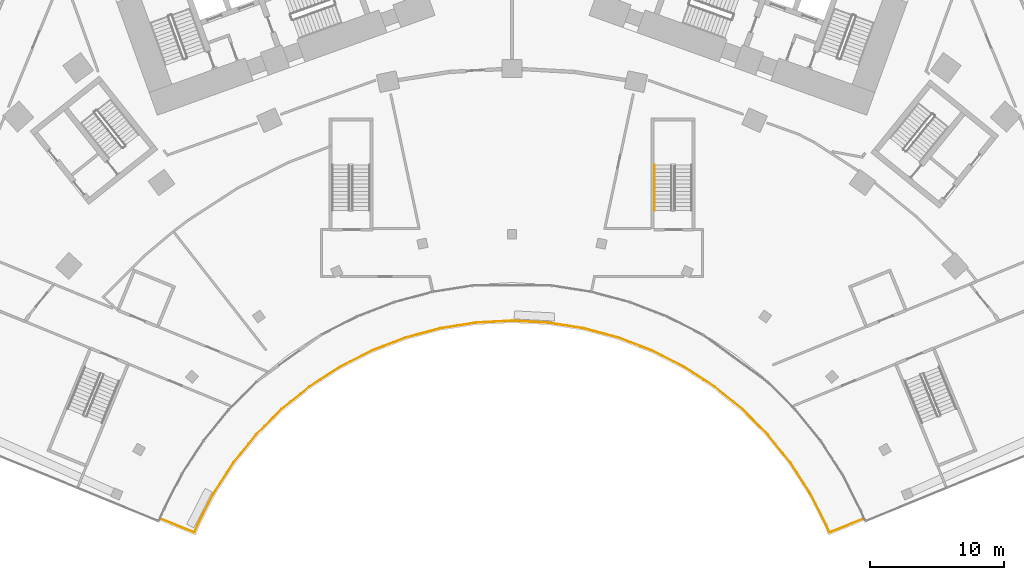
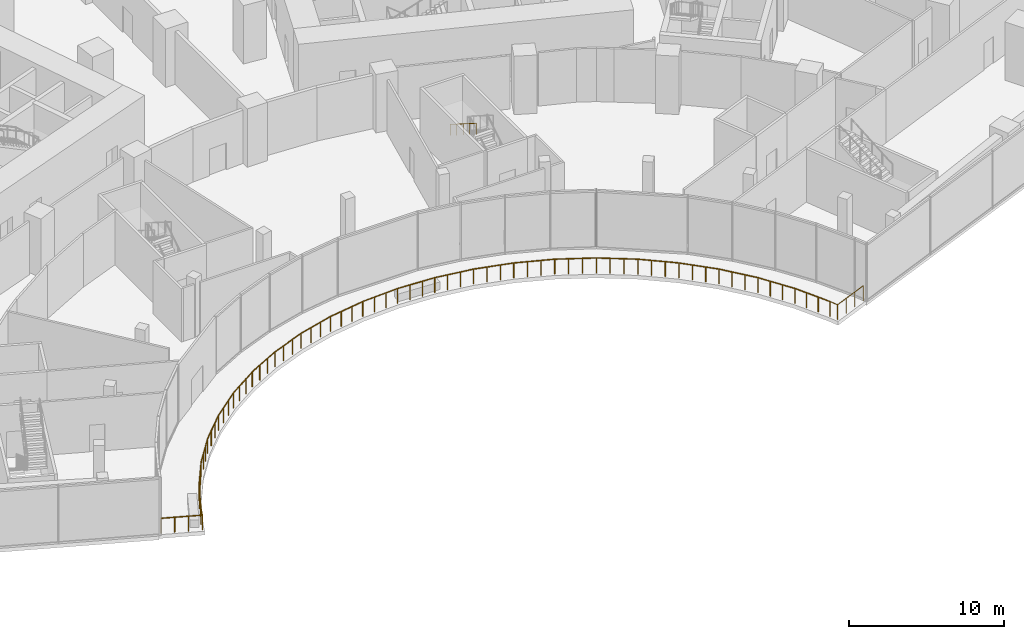
# One storey, part 35 of 39: 3 railings.
"""IFC4 building model written with IfcOpenShell, lengths in metres."""

from ifc_helpers import new_model, si_unit, direction, frame, origin, origin_2d, place, context, subcontext, project, spatial, circle, extrude, material, type_object, element, save


model = new_model("IFC4")

# Units and contexts
model_context = context("Model", 3, precision=1e-05, world=origin(), true_north=direction((0.0, 1.0)))
body_context = subcontext(model_context, "Body", "Model", "MODEL_VIEW")
ifc_project = project(units=[si_unit("LENGTHUNIT", "METRE"), si_unit("AREAUNIT", "SQUARE_METRE"), si_unit("VOLUMEUNIT", "CUBIC_METRE"), si_unit("PLANEANGLEUNIT", "RADIAN"), si_unit("MASSUNIT", "GRAM", prefix="KILO")], contexts=[model_context])

# Site, building, storey
site_placement = place(None, origin())
site = spatial("IfcSite", under=ifc_project, at=site_placement, CompositionType="ELEMENT")
building_placement = place(site_placement, origin())
building = spatial("IfcBuilding", under=site, at=building_placement, Name="Stone Belt Terrace Tower", CompositionType="ELEMENT")
storey_placement = place(building_placement, frame((0.0, 0.0, 20.800048828125)))
storey = spatial("IfcBuildingStorey", under=building, at=storey_placement, Name="L04", CompositionType="ELEMENT", Elevation=20.800048828125)

# Railings
ifc_material_1 = material(Name="Stainless steel handrail", Category="steel")
railing_type_1 = type_object("IfcRailingType", Name="Podium stair handrail", PredefinedType="HANDRAIL", material=ifc_material_1)
railing_1_placement = place(storey_placement, frame((10.625, 37.25, 2.476806640625)))
element("IfcRailing", 1, at=railing_1_placement, inside=storey, type_object=railing_type_1, Name="L04 PS6 stair handrail 2", PredefinedType="HANDRAIL", context=body_context, shape_type="SweptSolid", body=[
    extrude(circle(Radius=0.02392578125, at=origin_2d()), frame((0.0, 0.0, 0.8759765625), z_axis=(0.0, -0.845389635667, 0.534150132366), x_axis=(1.0, 0.0, 0.0)), (0.0, 0.0, 1.0), 3.974609375),
    extrude(circle(Radius=0.02099609375, at=origin_2d()), origin(), (0.0, 0.0, 1.0), 0.851806640625),
    extrude(circle(Radius=0.02099609375, at=origin_2d()), frame((0.0, -0.840087890625, 0.53076171875)), (0.0, 0.0, 1.0), 0.851806640625),
    extrude(circle(Radius=0.02099609375, at=origin_2d()), frame((0.0, -1.68017578125, 1.0615234375)), (0.0, 0.0, 1.0), 0.851806640625),
    extrude(circle(Radius=0.02099609375, at=origin_2d()), frame((0.0, -2.52001953125, 1.59228515625)), (0.0, 0.0, 1.0), 0.851806640625),
    extrude(circle(Radius=0.02099609375, at=origin_2d()), frame((0.0, -3.360107421875, 2.123046875)), (0.0, 0.0, 1.0), 0.851806640625),
])
ifc_material_2 = material(Name="Stainless steel AISI 304", Category="steel")
railing_type_2 = type_object("IfcRailingType", Name="Terrace guard 1200", PredefinedType="GUARDRAIL", material=ifc_material_2)
railing_2_placement = place(storey_placement, frame((-26.173095703125, 10.889404296875, 0.0)))
element("IfcRailing", 2, at=railing_2_placement, inside=storey, type_object=railing_type_2, Name="GUARD L04 1.1", PredefinedType="GUARDRAIL", context=body_context, shape_type="SweptSolid", body=[
    extrude(circle(Radius=0.02490234375, at=origin_2d()), frame((0.0, 0.0, 1.1748046875), z_axis=(0.925300457224, -0.379234839988, 0.0), x_axis=(0.379234839988, 0.925300457224, 0.0)), (0.0, 0.0, 1.0), 2.699951171875),
    extrude(circle(Radius=0.02490234375, at=origin_2d()), frame((2.498291015625, -1.02392578125, 1.1748046875), z_axis=(0.392825309695, 0.919613112164, 0.0), x_axis=(-0.919613112164, 0.392825309695, 0.0)), (0.0, 0.0, 1.0), 0.61962890625),
    extrude(circle(Radius=0.02490234375, at=origin_2d()), frame((2.74169921875, -0.4541015625, 1.1748046875), z_axis=(0.454008953108, 0.890997121487, 0.0), x_axis=(-0.890997121487, 0.454008953108, 0.0)), (0.0, 0.0, 1.0), 2.682373046875),
    extrude(circle(Radius=0.02490234375, at=origin_2d()), frame((3.95947265625, 1.935791015625, 1.1748046875), z_axis=(0.544607934951, 0.838690763743, 0.0), x_axis=(-0.838690763743, 0.544607934951, 0.0)), (0.0, 0.0, 1.0), 2.684814453125),
    extrude(circle(Radius=0.02490234375, at=origin_2d()), frame((5.421630859375, 4.1875, 1.1748046875), z_axis=(0.629352554522, 0.777119914889, 0.0), x_axis=(-0.777119914889, 0.629352554522, 0.0)), (0.0, 0.0, 1.0), 2.684814453125),
    extrude(circle(Radius=0.02490234375, at=origin_2d()), frame((7.111328125, 6.27392578125, 1.1748046875), z_axis=(0.707106781187, 0.707106781187, 0.0), x_axis=(-0.707106781187, 0.707106781187, 0.0)), (0.0, 0.0, 1.0), 2.684814453125),
    extrude(circle(Radius=0.02490234375, at=origin_2d()), frame((9.009765625, 8.17236328125, 1.1748046875), z_axis=(0.777119914889, 0.629352554522, 0.0), x_axis=(-0.629352554522, 0.777119914889, 0.0)), (0.0, 0.0, 1.0), 2.684814453125),
    extrude(circle(Radius=0.02490234375, at=origin_2d()), frame((11.09619140625, 9.862060546875, 1.1748046875), z_axis=(0.838690763743, 0.544607934951, 0.0), x_axis=(-0.544607934951, 0.838690763743, 0.0)), (0.0, 0.0, 1.0), 2.684814453125),
    extrude(circle(Radius=0.02490234375, at=origin_2d()), frame((13.347900390625, 11.32421875, 1.1748046875), z_axis=(0.89100063472, 0.454002058287, 0.0), x_axis=(-0.454002058287, 0.89100063472, 0.0)), (0.0, 0.0, 1.0), 2.68505859375),
    extrude(circle(Radius=0.02490234375, at=origin_2d()), frame((15.740234375, 12.543212890625, 1.1748046875), z_axis=(0.933584443623, 0.358357484399, 0.0), x_axis=(-0.358357484399, 0.933584443623, 0.0)), (0.0, 0.0, 1.0), 2.684814453125),
    extrude(circle(Radius=0.02490234375, at=origin_2d()), frame((18.246826171875, 13.50537109375, 1.1748046875), z_axis=(0.965929380049, 0.258805781926, 0.0), x_axis=(-0.258805781926, 0.965929380049, 0.0)), (0.0, 0.0, 1.0), 2.684814453125),
    extrude(circle(Radius=0.02490234375, at=origin_2d()), frame((20.840087890625, 14.2001953125, 1.1748046875), z_axis=(0.987679513044, 0.156490189831, 0.0), x_axis=(-0.156490189831, 0.987679513044, 0.0)), (0.0, 0.0, 1.0), 2.684814453125),
    extrude(circle(Radius=0.02490234375, at=origin_2d()), frame((23.491943359375, 14.620361328125, 1.1748046875), z_axis=(0.998632110541, 0.052286784152, 0.0), x_axis=(-0.052286784152, 0.998632110541, 0.0)), (0.0, 0.0, 1.0), 2.684814453125),
    extrude(circle(Radius=0.02490234375, at=origin_2d()), frame((26.173095703125, 14.7607421875, 1.1748046875), z_axis=(0.998632110541, -0.052286784152, 0.0), x_axis=(0.052286784152, 0.998632110541, 0.0)), (0.0, 0.0, 1.0), 2.684814453125),
    extrude(circle(Radius=0.02490234375, at=origin_2d()), frame((28.854248046875, 14.620361328125, 1.1748046875), z_axis=(0.987679513044, -0.156490189831, 0.0), x_axis=(0.156490189831, 0.987679513044, 0.0)), (0.0, 0.0, 1.0), 2.684814453125),
    extrude(circle(Radius=0.02490234375, at=origin_2d()), frame((31.506103515625, 14.2001953125, 1.1748046875), z_axis=(0.965929380049, -0.258805781926, 0.0), x_axis=(0.258805781926, 0.965929380049, 0.0)), (0.0, 0.0, 1.0), 2.684814453125),
    extrude(circle(Radius=0.02490234375, at=origin_2d()), frame((34.099365234375, 13.50537109375, 1.1748046875), z_axis=(0.933584443623, -0.358357484399, 0.0), x_axis=(0.358357484399, 0.933584443623, 0.0)), (0.0, 0.0, 1.0), 2.684814453125),
    extrude(circle(Radius=0.02490234375, at=origin_2d()), frame((36.60595703125, 12.543212890625, 1.1748046875), z_axis=(0.89100063472, -0.454002058287, 0.0), x_axis=(0.454002058287, 0.89100063472, 0.0)), (0.0, 0.0, 1.0), 2.68505859375),
    extrude(circle(Radius=0.02490234375, at=origin_2d()), frame((38.998291015625, 11.32421875, 1.1748046875), z_axis=(0.838690763743, -0.544607934951, 0.0), x_axis=(0.544607934951, 0.838690763743, 0.0)), (0.0, 0.0, 1.0), 2.684814453125),
    extrude(circle(Radius=0.02490234375, at=origin_2d()), frame((41.25, 9.862060546875, 1.1748046875), z_axis=(0.777119914889, -0.629352554522, 0.0), x_axis=(0.629352554522, 0.777119914889, 0.0)), (0.0, 0.0, 1.0), 2.684814453125),
    extrude(circle(Radius=0.02490234375, at=origin_2d()), frame((43.33642578125, 8.17236328125, 1.1748046875), z_axis=(0.707106781187, -0.707106781187, 0.0), x_axis=(0.707106781187, 0.707106781187, 0.0)), (0.0, 0.0, 1.0), 2.684814453125),
    extrude(circle(Radius=0.02490234375, at=origin_2d()), frame((45.23486328125, 6.27392578125, 1.1748046875), z_axis=(0.629352554522, -0.777119914889, 0.0), x_axis=(0.777119914889, 0.629352554522, 0.0)), (0.0, 0.0, 1.0), 2.684814453125),
    extrude(circle(Radius=0.02490234375, at=origin_2d()), frame((46.924560546875, 4.1875, 1.1748046875), z_axis=(0.544607934951, -0.838690763743, 0.0), x_axis=(0.838690763743, 0.544607934951, 0.0)), (0.0, 0.0, 1.0), 2.684814453125),
    extrude(circle(Radius=0.02490234375, at=origin_2d()), frame((48.38671875, 1.935791015625, 1.1748046875), z_axis=(0.454008953108, -0.890997121487, 0.0), x_axis=(0.890997121487, 0.454008953108, 0.0)), (0.0, 0.0, 1.0), 2.682373046875),
    extrude(circle(Radius=0.02001953125, at=origin_2d()), origin(), (0.0, 0.0, 1.0), 1.14990234375),
    extrude(circle(Radius=0.02001953125, at=origin_2d()), frame((0.832763671875, -0.34130859375, 0.0)), (0.0, 0.0, 1.0), 1.14990234375),
    extrude(circle(Radius=0.02001953125, at=origin_2d()), frame((1.66552734375, -0.6826171875, 0.0)), (0.0, 0.0, 1.0), 1.14990234375),
    extrude(circle(Radius=0.02001953125, at=origin_2d()), frame((2.498291015625, -1.02392578125, 0.0)), (0.0, 0.0, 1.0), 1.14990234375),
    extrude(circle(Radius=0.02001953125, at=origin_2d()), frame((2.74169921875, -0.4541015625, 0.0)), (0.0, 0.0, 1.0), 1.14990234375),
    extrude(circle(Radius=0.02001953125, at=origin_2d()), frame((3.147705078125, 0.342529296875, 0.0)), (0.0, 0.0, 1.0), 1.14990234375),
    extrude(circle(Radius=0.02001953125, at=origin_2d()), frame((3.553466796875, 1.13916015625, 0.0)), (0.0, 0.0, 1.0), 1.14990234375),
    extrude(circle(Radius=0.02001953125, at=origin_2d()), frame((3.95947265625, 1.935791015625, 0.0)), (0.0, 0.0, 1.0), 1.14990234375),
    extrude(circle(Radius=0.02001953125, at=origin_2d()), frame((4.44677734375, 2.686279296875, 0.0)), (0.0, 0.0, 1.0), 1.14990234375),
    extrude(circle(Radius=0.02001953125, at=origin_2d()), frame((4.934326171875, 3.43701171875, 0.0)), (0.0, 0.0, 1.0), 1.14990234375),
    extrude(circle(Radius=0.02001953125, at=origin_2d()), frame((5.421630859375, 4.1875, 0.0)), (0.0, 0.0, 1.0), 1.14990234375),
    extrude(circle(Radius=0.02001953125, at=origin_2d()), frame((5.98486328125, 4.883056640625, 0.0)), (0.0, 0.0, 1.0), 1.14990234375),
    extrude(circle(Radius=0.02001953125, at=origin_2d()), frame((6.548095703125, 5.578369140625, 0.0)), (0.0, 0.0, 1.0), 1.14990234375),
    extrude(circle(Radius=0.02001953125, at=origin_2d()), frame((7.111328125, 6.27392578125, 0.0)), (0.0, 0.0, 1.0), 1.14990234375),
    extrude(circle(Radius=0.02001953125, at=origin_2d()), frame((7.744140625, 6.90673828125, 0.0)), (0.0, 0.0, 1.0), 1.14990234375),
    extrude(circle(Radius=0.02001953125, at=origin_2d()), frame((8.376953125, 7.53955078125, 0.0)), (0.0, 0.0, 1.0), 1.14990234375),
    extrude(circle(Radius=0.02001953125, at=origin_2d()), frame((9.009765625, 8.17236328125, 0.0)), (0.0, 0.0, 1.0), 1.14990234375),
    extrude(circle(Radius=0.02001953125, at=origin_2d()), frame((9.705322265625, 8.735595703125, 0.0)), (0.0, 0.0, 1.0), 1.14990234375),
    extrude(circle(Radius=0.02001953125, at=origin_2d()), frame((10.400634765625, 9.298828125, 0.0)), (0.0, 0.0, 1.0), 1.14990234375),
    extrude(circle(Radius=0.02001953125, at=origin_2d()), frame((11.09619140625, 9.862060546875, 0.0)), (0.0, 0.0, 1.0), 1.14990234375),
    extrude(circle(Radius=0.02001953125, at=origin_2d()), frame((11.8466796875, 10.349365234375, 0.0)), (0.0, 0.0, 1.0), 1.14990234375),
    extrude(circle(Radius=0.02001953125, at=origin_2d()), frame((12.597412109375, 10.8369140625, 0.0)), (0.0, 0.0, 1.0), 1.14990234375),
    extrude(circle(Radius=0.02001953125, at=origin_2d()), frame((13.347900390625, 11.32421875, 0.0)), (0.0, 0.0, 1.0), 1.14990234375),
    extrude(circle(Radius=0.02001953125, at=origin_2d()), frame((14.145263671875, 11.73046875, 0.0)), (0.0, 0.0, 1.0), 1.14990234375),
    extrude(circle(Radius=0.02001953125, at=origin_2d()), frame((14.94287109375, 12.136962890625, 0.0)), (0.0, 0.0, 1.0), 1.14990234375),
    extrude(circle(Radius=0.02001953125, at=origin_2d()), frame((15.740234375, 12.543212890625, 0.0)), (0.0, 0.0, 1.0), 1.14990234375),
    extrude(circle(Radius=0.02001953125, at=origin_2d()), frame((16.57568359375, 12.864013671875, 0.0)), (0.0, 0.0, 1.0), 1.14990234375),
    extrude(circle(Radius=0.02001953125, at=origin_2d()), frame((17.411376953125, 13.1845703125, 0.0)), (0.0, 0.0, 1.0), 1.14990234375),
    extrude(circle(Radius=0.02001953125, at=origin_2d()), frame((18.246826171875, 13.50537109375, 0.0)), (0.0, 0.0, 1.0), 1.14990234375),
    extrude(circle(Radius=0.02001953125, at=origin_2d()), frame((19.111328125, 13.737060546875, 0.0)), (0.0, 0.0, 1.0), 1.14990234375),
    extrude(circle(Radius=0.02001953125, at=origin_2d()), frame((19.9755859375, 13.968505859375, 0.0)), (0.0, 0.0, 1.0), 1.14990234375),
    extrude(circle(Radius=0.02001953125, at=origin_2d()), frame((20.840087890625, 14.2001953125, 0.0)), (0.0, 0.0, 1.0), 1.14990234375),
    extrude(circle(Radius=0.02001953125, at=origin_2d()), frame((21.72412109375, 14.34033203125, 0.0)), (0.0, 0.0, 1.0), 1.14990234375),
    extrude(circle(Radius=0.02001953125, at=origin_2d()), frame((22.60791015625, 14.480224609375, 0.0)), (0.0, 0.0, 1.0), 1.14990234375),
    extrude(circle(Radius=0.02001953125, at=origin_2d()), frame((23.491943359375, 14.620361328125, 0.0)), (0.0, 0.0, 1.0), 1.14990234375),
    extrude(circle(Radius=0.02001953125, at=origin_2d()), frame((24.3857421875, 14.667236328125, 0.0)), (0.0, 0.0, 1.0), 1.14990234375),
    extrude(circle(Radius=0.02001953125, at=origin_2d()), frame((25.279296875, 14.7138671875, 0.0)), (0.0, 0.0, 1.0), 1.14990234375),
    extrude(circle(Radius=0.02001953125, at=origin_2d()), frame((26.173095703125, 14.7607421875, 0.0)), (0.0, 0.0, 1.0), 1.14990234375),
    extrude(circle(Radius=0.02001953125, at=origin_2d()), frame((27.06689453125, 14.7138671875, 0.0)), (0.0, 0.0, 1.0), 1.14990234375),
    extrude(circle(Radius=0.02001953125, at=origin_2d()), frame((27.96044921875, 14.667236328125, 0.0)), (0.0, 0.0, 1.0), 1.14990234375),
    extrude(circle(Radius=0.02001953125, at=origin_2d()), frame((28.854248046875, 14.620361328125, 0.0)), (0.0, 0.0, 1.0), 1.14990234375),
    extrude(circle(Radius=0.02001953125, at=origin_2d()), frame((29.73828125, 14.480224609375, 0.0)), (0.0, 0.0, 1.0), 1.14990234375),
    extrude(circle(Radius=0.02001953125, at=origin_2d()), frame((30.6220703125, 14.34033203125, 0.0)), (0.0, 0.0, 1.0), 1.14990234375),
    extrude(circle(Radius=0.02001953125, at=origin_2d()), frame((31.506103515625, 14.2001953125, 0.0)), (0.0, 0.0, 1.0), 1.14990234375),
    extrude(circle(Radius=0.02001953125, at=origin_2d()), frame((32.37060546875, 13.968505859375, 0.0)), (0.0, 0.0, 1.0), 1.14990234375),
    extrude(circle(Radius=0.02001953125, at=origin_2d()), frame((33.23486328125, 13.737060546875, 0.0)), (0.0, 0.0, 1.0), 1.14990234375),
    extrude(circle(Radius=0.02001953125, at=origin_2d()), frame((34.099365234375, 13.50537109375, 0.0)), (0.0, 0.0, 1.0), 1.14990234375),
    extrude(circle(Radius=0.02001953125, at=origin_2d()), frame((34.934814453125, 13.1845703125, 0.0)), (0.0, 0.0, 1.0), 1.14990234375),
    extrude(circle(Radius=0.02001953125, at=origin_2d()), frame((35.7705078125, 12.864013671875, 0.0)), (0.0, 0.0, 1.0), 1.14990234375),
    extrude(circle(Radius=0.02001953125, at=origin_2d()), frame((36.60595703125, 12.543212890625, 0.0)), (0.0, 0.0, 1.0), 1.14990234375),
    extrude(circle(Radius=0.02001953125, at=origin_2d()), frame((37.4033203125, 12.136962890625, 0.0)), (0.0, 0.0, 1.0), 1.14990234375),
    extrude(circle(Radius=0.02001953125, at=origin_2d()), frame((38.200927734375, 11.73046875, 0.0)), (0.0, 0.0, 1.0), 1.14990234375),
    extrude(circle(Radius=0.02001953125, at=origin_2d()), frame((38.998291015625, 11.32421875, 0.0)), (0.0, 0.0, 1.0), 1.14990234375),
    extrude(circle(Radius=0.02001953125, at=origin_2d()), frame((39.748779296875, 10.8369140625, 0.0)), (0.0, 0.0, 1.0), 1.14990234375),
    extrude(circle(Radius=0.02001953125, at=origin_2d()), frame((40.49951171875, 10.349365234375, 0.0)), (0.0, 0.0, 1.0), 1.14990234375),
    extrude(circle(Radius=0.02001953125, at=origin_2d()), frame((41.25, 9.862060546875, 0.0)), (0.0, 0.0, 1.0), 1.14990234375),
    extrude(circle(Radius=0.02001953125, at=origin_2d()), frame((41.945556640625, 9.298828125, 0.0)), (0.0, 0.0, 1.0), 1.14990234375),
    extrude(circle(Radius=0.02001953125, at=origin_2d()), frame((42.640869140625, 8.735595703125, 0.0)), (0.0, 0.0, 1.0), 1.14990234375),
    extrude(circle(Radius=0.02001953125, at=origin_2d()), frame((43.33642578125, 8.17236328125, 0.0)), (0.0, 0.0, 1.0), 1.14990234375),
    extrude(circle(Radius=0.02001953125, at=origin_2d()), frame((43.96923828125, 7.53955078125, 0.0)), (0.0, 0.0, 1.0), 1.14990234375),
    extrude(circle(Radius=0.02001953125, at=origin_2d()), frame((44.60205078125, 6.90673828125, 0.0)), (0.0, 0.0, 1.0), 1.14990234375),
    extrude(circle(Radius=0.02001953125, at=origin_2d()), frame((45.23486328125, 6.27392578125, 0.0)), (0.0, 0.0, 1.0), 1.14990234375),
    extrude(circle(Radius=0.02001953125, at=origin_2d()), frame((45.798095703125, 5.578369140625, 0.0)), (0.0, 0.0, 1.0), 1.14990234375),
    extrude(circle(Radius=0.02001953125, at=origin_2d()), frame((46.361328125, 4.883056640625, 0.0)), (0.0, 0.0, 1.0), 1.14990234375),
    extrude(circle(Radius=0.02001953125, at=origin_2d()), frame((46.924560546875, 4.1875, 0.0)), (0.0, 0.0, 1.0), 1.14990234375),
    extrude(circle(Radius=0.02001953125, at=origin_2d()), frame((47.411865234375, 3.43701171875, 0.0)), (0.0, 0.0, 1.0), 1.14990234375),
    extrude(circle(Radius=0.02001953125, at=origin_2d()), frame((47.8994140625, 2.686279296875, 0.0)), (0.0, 0.0, 1.0), 1.14990234375),
    extrude(circle(Radius=0.02001953125, at=origin_2d()), frame((48.38671875, 1.935791015625, 0.0)), (0.0, 0.0, 1.0), 1.14990234375),
    extrude(circle(Radius=0.02001953125, at=origin_2d()), frame((48.792724609375, 1.13916015625, 0.0)), (0.0, 0.0, 1.0), 1.14990234375),
    extrude(circle(Radius=0.02001953125, at=origin_2d()), frame((49.198486328125, 0.342529296875, 0.0)), (0.0, 0.0, 1.0), 1.14990234375),
    extrude(circle(Radius=0.02001953125, at=origin_2d()), frame((49.6044921875, -0.4541015625, 0.0)), (0.0, 0.0, 1.0), 1.14990234375),
])
railing_3_placement = place(storey_placement, frame((23.431396484375, 10.435302734375, 0.0)))
element("IfcRailing", 3, at=railing_3_placement, inside=storey, type_object=railing_type_2, Name="GUARD L04 1.2", PredefinedType="GUARDRAIL", context=body_context, shape_type="SweptSolid", body=[
    extrude(circle(Radius=0.02490234375, at=origin_2d()), frame((0.0, 0.0, 1.1748046875), z_axis=(0.392825309695, -0.919613112164, 0.0), x_axis=(0.919613112164, 0.392825309695, 0.0)), (0.0, 0.0, 1.0), 0.61962890625),
    extrude(circle(Radius=0.02490234375, at=origin_2d()), frame((0.243408203125, -0.56982421875, 1.1748046875), z_axis=(0.925300457224, 0.379234839988, 0.0), x_axis=(-0.379234839988, 0.925300457224, 0.0)), (0.0, 0.0, 1.0), 2.699951171875),
    extrude(circle(Radius=0.02001953125, at=origin_2d()), origin(), (0.0, 0.0, 1.0), 1.14990234375),
    extrude(circle(Radius=0.02001953125, at=origin_2d()), frame((0.243408203125, -0.56982421875, 0.0)), (0.0, 0.0, 1.0), 1.14990234375),
    extrude(circle(Radius=0.02001953125, at=origin_2d()), frame((1.076171875, -0.228515625, 0.0)), (0.0, 0.0, 1.0), 1.14990234375),
    extrude(circle(Radius=0.02001953125, at=origin_2d()), frame((1.908935546875, 0.11279296875, 0.0)), (0.0, 0.0, 1.0), 1.14990234375),
    extrude(circle(Radius=0.02001953125, at=origin_2d()), frame((2.74169921875, 0.4541015625, 0.0)), (0.0, 0.0, 1.0), 1.14990234375),
])

save(model, "model.ifc")
